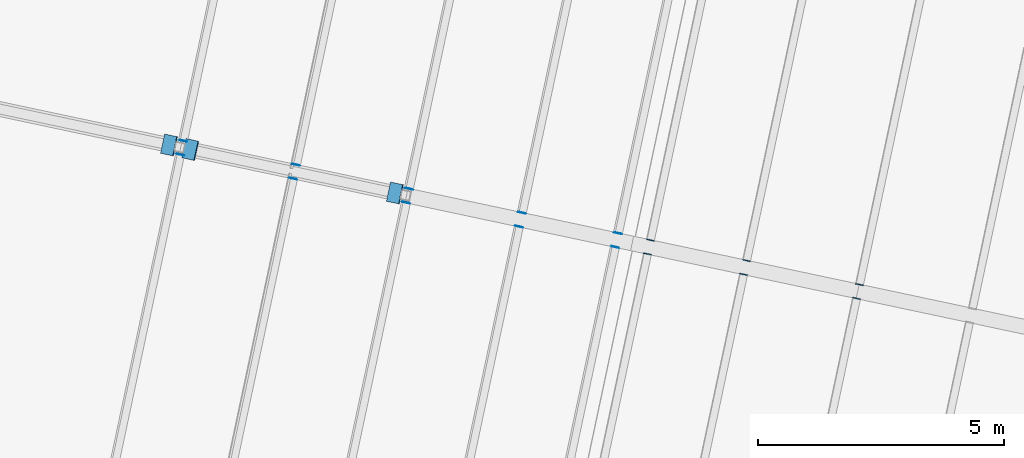
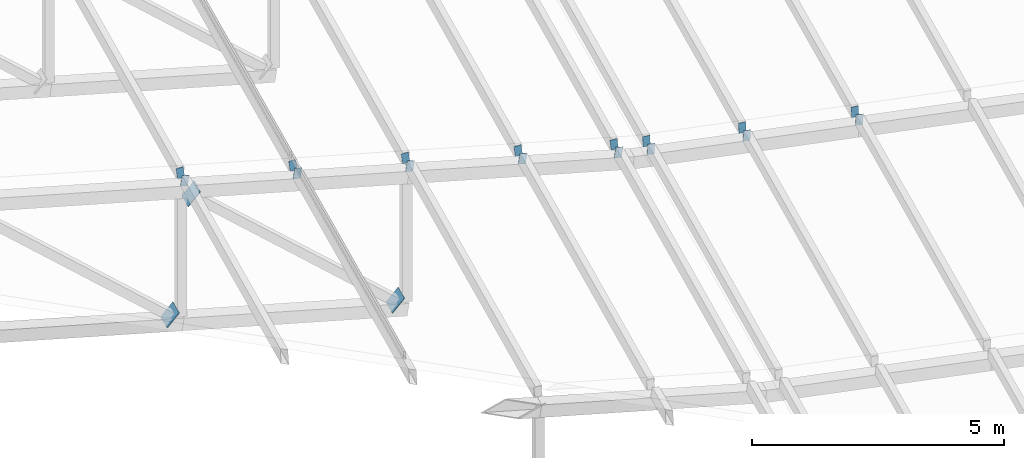
# One storey, part 155 of 196: 19 discrete accessories.
"""IFC4 building model written with IfcOpenShell, lengths in metres."""

from ifc_helpers import new_model, si_unit, direction, frame, origin, origin_2d, place, context, subcontext, project, spatial, rectangle, extrude, material, layer, layer_set, type_object, element, save


model = new_model("IFC4")

# Units and contexts
model_context = context("Model", 3, precision=1e-05, world=origin(), true_north=direction((0.0, 1.0)))
body_context = subcontext(model_context, "Body", "Model", "MODEL_VIEW")
ifc_project = project(units=[si_unit("LENGTHUNIT", "METRE"), si_unit("AREAUNIT", "SQUARE_METRE"), si_unit("VOLUMEUNIT", "CUBIC_METRE"), si_unit("PLANEANGLEUNIT", "RADIAN"), si_unit("MASSUNIT", "GRAM", prefix="KILO")], contexts=[model_context])

# Site, building, storey
site_placement = place(None, origin())
site = spatial("IfcSite", under=ifc_project, at=site_placement, CompositionType="ELEMENT")
building_placement = place(site_placement, origin())
building = spatial("IfcBuilding", under=site, at=building_placement, Name="Okhra Congress Centre", CompositionType="ELEMENT")
storey_placement = place(building_placement, frame((0.0, 0.0, 12.0)))
storey = spatial("IfcBuildingStorey", under=building, at=storey_placement, Name="L02", CompositionType="ELEMENT", Elevation=12.0)

# Discrete accessories
ifc_material = material(Name="Steel S355J2", Category="steel")
ifc_layer_1 = layer(ifc_material, 0.02001953125)
ifc_layer_set_1 = layer_set([ifc_layer_1], Name="Brace end connection plate 20 mm S355")
discrete_accessory_type_1 = type_object("IfcDiscreteAccessoryType", Name="Brace end connection plate 20 mm S355", PredefinedType="BRACKET", material=ifc_layer_set_1)
for number, where, z_axis, x_axis, name in (
    (1, (214.222412109375, 118.710205078125, 1.25244140625), (0.756491435081, -0.158619171872, -0.634476687487), (0.205214844297, 0.978716949726, 0.0), "Brace end connection plate"),
    (2, (214.669677734375, 118.614990234375, 4.076904296875), (-0.754975587422, 0.17047835845, 0.633205331387), (-0.220260871435, -0.975441002068, 0.0), "Brace end connection plate"),
    (3, (218.81982421875, 117.73291015625, 0.591796875), (0.756491435081, -0.158619171872, -0.634476687487), (0.205214844297, 0.978716949726, 0.0), "Brace end connection plate"),
):
    element("IfcDiscreteAccessory", number, at=place(storey_placement, frame(where, z_axis=z_axis, x_axis=x_axis)), inside=storey, type_object=discrete_accessory_type_1, Name=name, PredefinedType="BRACKET", context=body_context, shape_type="SweptSolid", body=[
        extrude(rectangle(XDim=0.39990234375, YDim=0.39990234375, at=origin_2d()), origin(), (0.0, 0.0, 1.0), 0.02001953125),
    ])
ifc_layer_2 = layer(ifc_material, 0.011962890625)
ifc_layer_set_2 = layer_set([ifc_layer_2], Name="Hollow section end cap 12 mm S355")
discrete_accessory_type_2 = type_object("IfcDiscreteAccessoryType", Name="Hollow section end cap 12 mm S355", PredefinedType="BRACKET", material=ifc_layer_set_2)
for number, where, z_axis, x_axis, name in (
    (4, (214.452392578125, 118.508056640625, 4.537109375), (0.203954254112, 0.978980419738, 0.0), (-0.969453049589, 0.201969385331, 0.13917310096), "Hollow section end cap"),
    (5, (216.7509765625, 118.019287109375, 4.206787109375), (0.203954254112, 0.978980419738, 0.0), (-0.969453049589, 0.201969385331, 0.13917310096), "Hollow section end cap"),
    (6, (219.049560546875, 117.53076171875, 3.87646484375), (0.203954254112, 0.978980419738, 0.0), (-0.969453049589, 0.201969385331, 0.13917310096), "Hollow section end cap"),
    (7, (221.34814453125, 117.042236328125, 3.546142578125), (0.223376156329, 0.974732318528, 0.0), (-0.965246290609, 0.221202274931, 0.13917310096), "Hollow section end cap"),
):
    element("IfcDiscreteAccessory", number, at=place(storey_placement, frame(where, z_axis=z_axis, x_axis=x_axis)), inside=storey, type_object=discrete_accessory_type_2, Name=name, PredefinedType="BRACKET", context=body_context, shape_type="SweptSolid", body=[
        extrude(rectangle(XDim=0.14990234375, YDim=0.25, at=origin_2d()), origin(), (0.0, 0.0, 1.0), 0.011962890625),
    ])
discrete_accessory_1_placement = place(storey_placement, frame((223.304443359375, 116.626220703125, 3.26513671875), z_axis=(0.219038342307, 0.975716252094, 0.0), x_axis=(-0.9662206486, 0.216906676216, 0.13917310096)))
element("IfcDiscreteAccessory", 8, at=discrete_accessory_1_placement, inside=storey, type_object=discrete_accessory_type_2, Name="Hollow section end cap", PredefinedType="BRACKET", context=body_context, shape_type="SweptSolid", body=[
    extrude(rectangle(XDim=0.14990234375, YDim=0.25, at=origin_2d()), origin(), (0.0, 0.0, 1.0), 0.01220703125),
])
discrete_accessory_2_placement = place(storey_placement, frame((223.9658203125, 116.48583984375, 3.199951171875), z_axis=(0.203954254112, 0.978980419738, 0.0), x_axis=(-0.977638761096, 0.203674741895, 0.052335956243)))
element("IfcDiscreteAccessory", 9, at=discrete_accessory_2_placement, inside=storey, type_object=discrete_accessory_type_2, Name="Hollow section end cap", PredefinedType="BRACKET", context=body_context, shape_type="SweptSolid", body=[
    extrude(rectangle(XDim=0.14990234375, YDim=0.25, at=origin_2d()), origin(), (0.0, 0.0, 1.0), 0.011962890625),
])
discrete_accessory_3_placement = place(storey_placement, frame((225.922119140625, 116.06982421875, 3.094970703125), z_axis=(0.199960011996, 0.97980405878, 0.0), x_axis=(-0.978461271371, 0.199685973749, 0.052335956243)))
element("IfcDiscreteAccessory", 10, at=discrete_accessory_3_placement, inside=storey, type_object=discrete_accessory_type_2, Name="Hollow section end cap", PredefinedType="BRACKET", context=body_context, shape_type="SweptSolid", body=[
    extrude(rectangle(XDim=0.14990234375, YDim=0.25, at=origin_2d()), origin(), (0.0, 0.0, 1.0), 0.01220703125),
])
for number, where, z_axis, x_axis, name in (
    (11, (228.220703125, 115.581298828125, 2.971923828125), (0.223376156329, 0.974732318528, 0.0), (-0.973396481762, 0.22307002707, 0.052335956243), "Hollow section end cap"),
    (12, (214.5146484375, 118.80126953125, 4.537109375), (-0.203954254112, -0.978980419738, 0.0), (0.969453049589, -0.201969385331, 0.13917310096), "Hollow section end cap"),
    (13, (216.813232421875, 118.312744140625, 4.206787109375), (-0.203954254112, -0.978980419738, 0.0), (0.969453049589, -0.201969385331, 0.13917310096), "Hollow section end cap"),
    (14, (219.112060546875, 117.82421875, 3.87646484375), (-0.223376156329, -0.974732318528, 0.0), (0.965246290609, -0.221202274931, 0.13917310096), "Hollow section end cap"),
    (15, (221.41064453125, 117.335693359375, 3.546142578125), (-0.203954254112, -0.978980419738, 0.0), (0.969453049589, -0.201969385331, 0.13917310096), "Hollow section end cap"),
    (16, (223.366943359375, 116.919677734375, 3.26513671875), (-0.203954254112, -0.978980419738, 0.0), (0.969453049589, -0.201969385331, 0.13917310096), "Hollow section end cap"),
    (17, (224.0283203125, 116.779296875, 3.199951171875), (-0.223376156329, -0.974732318528, 0.0), (0.973396481762, -0.22307002707, 0.052335956243), "Hollow section end cap"),
    (18, (225.984619140625, 116.36328125, 3.094970703125), (-0.223376156329, -0.974732318528, 0.0), (0.973396481762, -0.22307002707, 0.052335956243), "Hollow section end cap"),
    (19, (228.283203125, 115.874755859375, 2.971923828125), (-0.203954254112, -0.978980419738, 0.0), (0.977638761096, -0.203674741895, 0.052335956243), "Hollow section end cap"),
):
    element("IfcDiscreteAccessory", number, at=place(storey_placement, frame(where, z_axis=z_axis, x_axis=x_axis)), inside=storey, type_object=discrete_accessory_type_2, Name=name, PredefinedType="BRACKET", context=body_context, shape_type="SweptSolid", body=[
        extrude(rectangle(XDim=0.14990234375, YDim=0.25, at=origin_2d()), origin(), (0.0, 0.0, 1.0), 0.011962890625),
    ])

save(model, "model.ifc")
